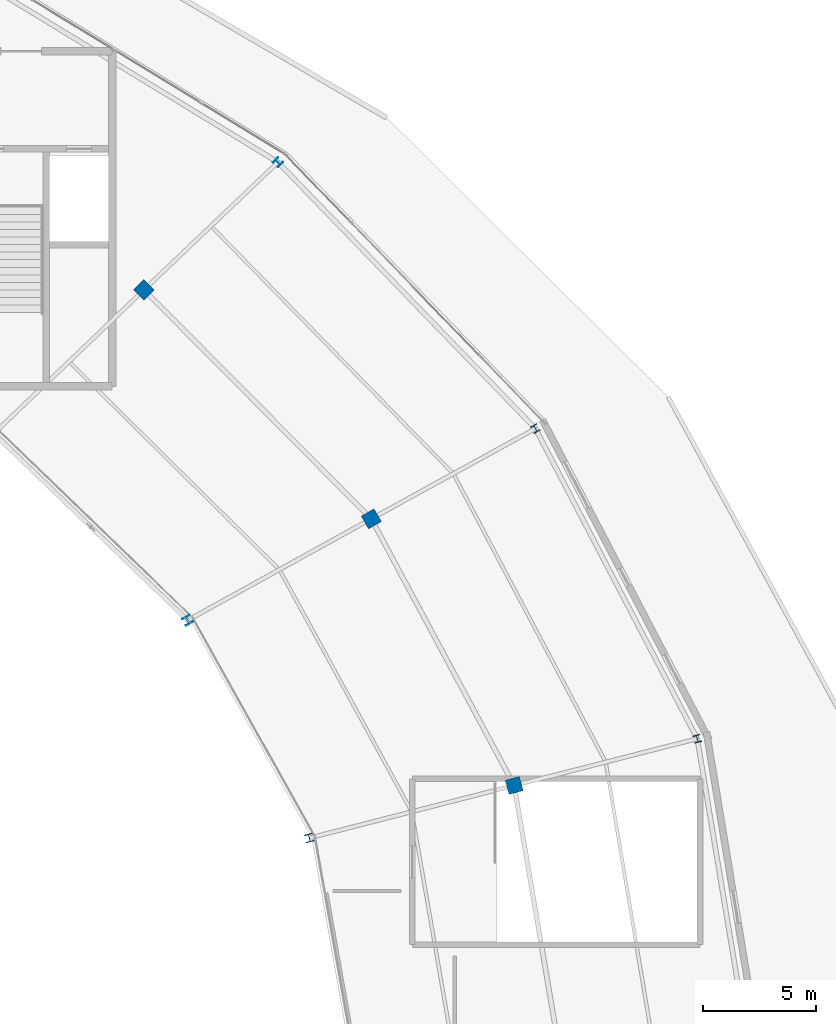
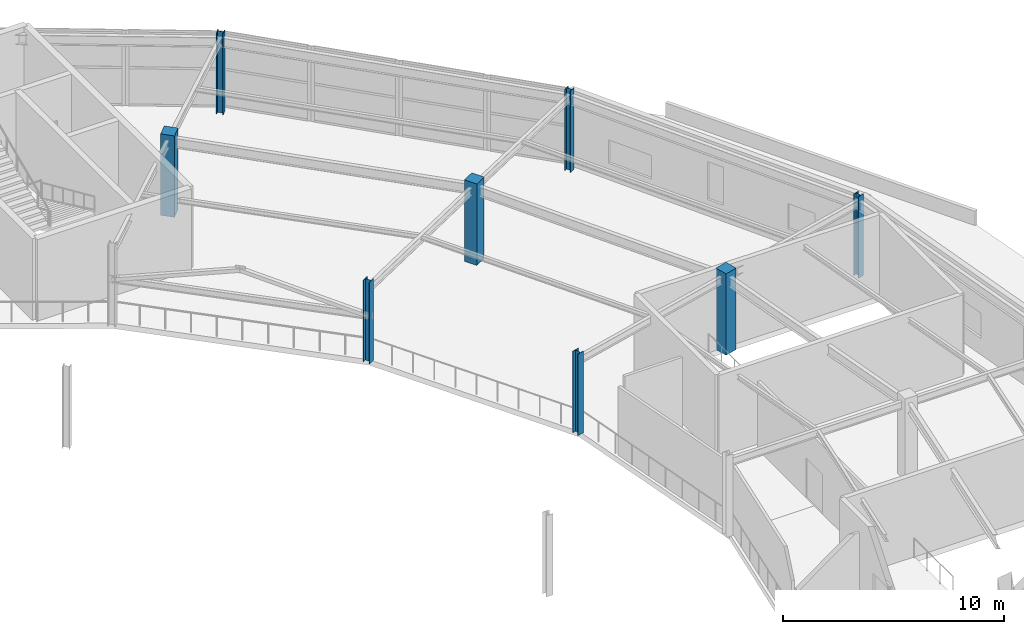
# One storey, part 11 of 126: 8 columns.
"""IFC4 building model written with IfcOpenShell, lengths in metres."""

from ifc_helpers import new_model, si_unit, direction, frame, origin, origin_2d, place, context, subcontext, project, spatial, rectangle, i_section, extrude, material, material_profile, profile_set, type_object, element, save


model = new_model("IFC4")

# Units and contexts
model_context = context("Model", 3, precision=1e-05, world=origin(), true_north=direction((0.0, 1.0)))
body_context = subcontext(model_context, "Body", "Model", "MODEL_VIEW")
ifc_project = project(units=[si_unit("LENGTHUNIT", "METRE"), si_unit("AREAUNIT", "SQUARE_METRE"), si_unit("VOLUMEUNIT", "CUBIC_METRE"), si_unit("PLANEANGLEUNIT", "RADIAN"), si_unit("MASSUNIT", "GRAM", prefix="KILO")], contexts=[model_context])

# Site, building, storey
site_placement = place(None, origin())
site = spatial("IfcSite", under=ifc_project, at=site_placement, CompositionType="ELEMENT")
building_placement = place(site_placement, origin())
building = spatial("IfcBuilding", under=site, at=building_placement, Name="Kalgoora Escarpment Arena", CompositionType="ELEMENT")
storey_placement = place(building_placement, frame((0.0, 0.0, 18.89990234375)))
storey = spatial("IfcBuildingStorey", under=building, at=storey_placement, Name="L04", CompositionType="ELEMENT", Elevation=18.89990234375)

# Columns
ifc_material_1 = material(Name="Structural steel AS/NZS 3679 (300 MPa)", Category="steel")
ifc_material_profile_1 = material_profile(ifc_material_1, i_section(OverallWidth=0.31103515625, OverallDepth=0.326904296875, WebThickness=0.015625, FlangeThickness=0.02490234375, at=origin_2d()))
ifc_profile_set_1 = profile_set([ifc_material_profile_1], Name="Structural steel AS/NZS 3679 (300 MPa)")
column_type_1 = type_object("IfcColumnType", Name="COL-COL-310UC158", PredefinedType="COLUMN", material=ifc_profile_set_1)
for number, where, z_axis, x_axis, name in (
    (1, (161.75341796875, 78.752685546875, 0.0), (0.0, 0.0, 1.0), (0.965925826289, 0.258819045103, 0.0), "L04 structural column COL-RCONC2-R02"),
    (2, (154.58056640625, 92.5, 0.0), (0.0, 0.0, 1.0), (0.866025403784, 0.5, 0.0), "L04 structural column COL-RCONC2-R03"),
    (3, (143.17041015625, 104.30517578125, 0.0), (0.0, 0.0, 1.0), (0.707106781187, 0.707106781187, 0.0), "L04 structural column COL-RCONC2-R04"),
):
    element("IfcColumn", number, at=place(storey_placement, frame(where, z_axis=z_axis, x_axis=x_axis)), inside=storey, type_object=column_type_1, Name=name, PredefinedType="COLUMN", context=body_context, shape_type="SweptSolid", body=[
        extrude(i_section(OverallWidth=0.31103515625, OverallDepth=0.326904296875, WebThickness=0.015625, FlangeThickness=0.02490234375, at=origin_2d()), origin(), (0.0, 0.0, 1.0), 4.5),
    ])
ifc_material_2 = material(Name="Structural steel Grade 350 (350 MPa)", Category="steel")
ifc_material_profile_2 = material_profile(ifc_material_2, i_section(OverallWidth=0.35009765625, OverallDepth=0.35009765625, WebThickness=0.013916015625, FlangeThickness=0.02392578125, at=origin_2d()))
ifc_profile_set_2 = profile_set([ifc_material_profile_2], Name="Structural steel Grade 350 (350 MPa)")
column_type_2 = type_object("IfcColumnType", Name="COL-COL-350WC197", PredefinedType="COLUMN", material=ifc_profile_set_2)
for number, where, z_axis, x_axis, name in (
    (4, (144.56005859375, 74.352783203125, 0.0), (0.0, 0.0, 1.0), (0.965925826289, 0.258819045103, 0.0), "L04 structural column COL-RMAIN-R02"),
    (5, (139.165283203125, 84.0, 0.0), (0.0, 0.0, 1.0), (0.866025403784, 0.5, 0.0), "L04 structural column COL-RMAIN-R03"),
):
    element("IfcColumn", number, at=place(storey_placement, frame(where, z_axis=z_axis, x_axis=x_axis)), inside=storey, type_object=column_type_2, Name=name, PredefinedType="COLUMN", context=body_context, shape_type="SweptSolid", body=[
        extrude(i_section(OverallWidth=0.35009765625, OverallDepth=0.35009765625, WebThickness=0.013916015625, FlangeThickness=0.02392578125, at=origin_2d()), origin(), (0.0, 0.0, 1.0), 4.5),
    ])
ifc_material_3 = material(Name="Concrete N50 (fc' 50 MPa)", Category="concrete")
ifc_material_profile_3 = material_profile(ifc_material_3, rectangle(XDim=0.64990234375, YDim=0.64990234375, at=origin_2d()))
ifc_profile_set_3 = profile_set([ifc_material_profile_3], Name="Concrete N50 (fc' 50 MPa)")
column_type_3 = type_object("IfcColumnType", Name="COL-COL-RC650x650", PredefinedType="COLUMN", material=ifc_profile_set_3)
for number, where, z_axis, x_axis, name in (
    (6, (153.6396484375, 76.68212890625, 0.0), (0.0, 0.0, 1.0), (0.965925826289, 0.258819045103, 0.0), "L04 structural column COL-RCONC1-R02"),
    (7, (147.305908203125, 88.5, 0.0), (0.0, 0.0, 1.0), (0.866025403784, 0.5, 0.0), "L04 structural column COL-RCONC1-R03"),
    (8, (137.230712890625, 98.648193359375, 0.0), (0.0, 0.0, 1.0), (0.707106781187, 0.707106781187, 0.0), "L04 structural column COL-RCONC1-R04"),
):
    element("IfcColumn", number, at=place(storey_placement, frame(where, z_axis=z_axis, x_axis=x_axis)), inside=storey, type_object=column_type_3, Name=name, PredefinedType="COLUMN", context=body_context, shape_type="SweptSolid", body=[
        extrude(rectangle(XDim=0.64990234375, YDim=0.64990234375, at=origin_2d()), origin(), (0.0, 0.0, 1.0), 4.5),
    ])

save(model, "model.ifc")
